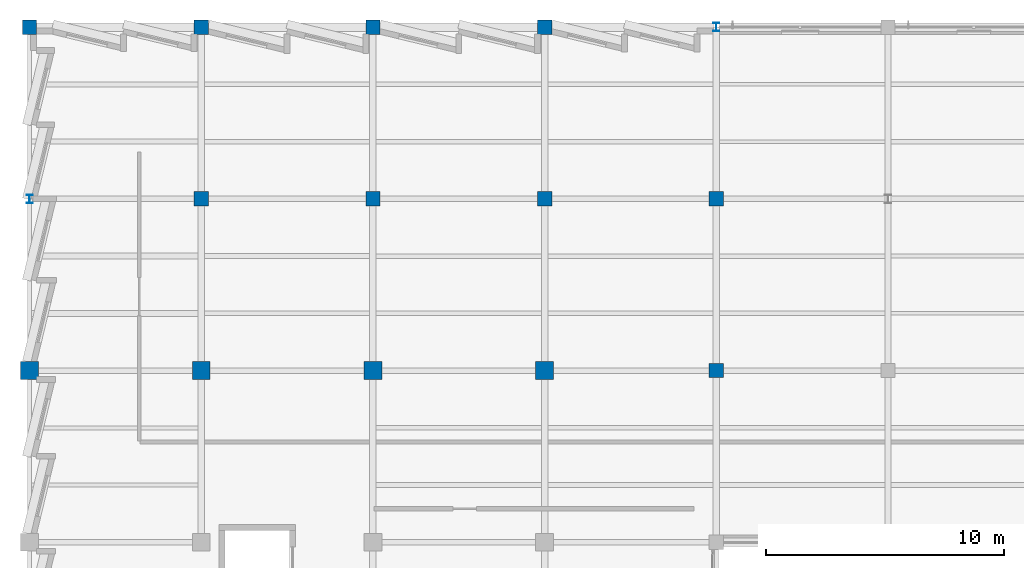
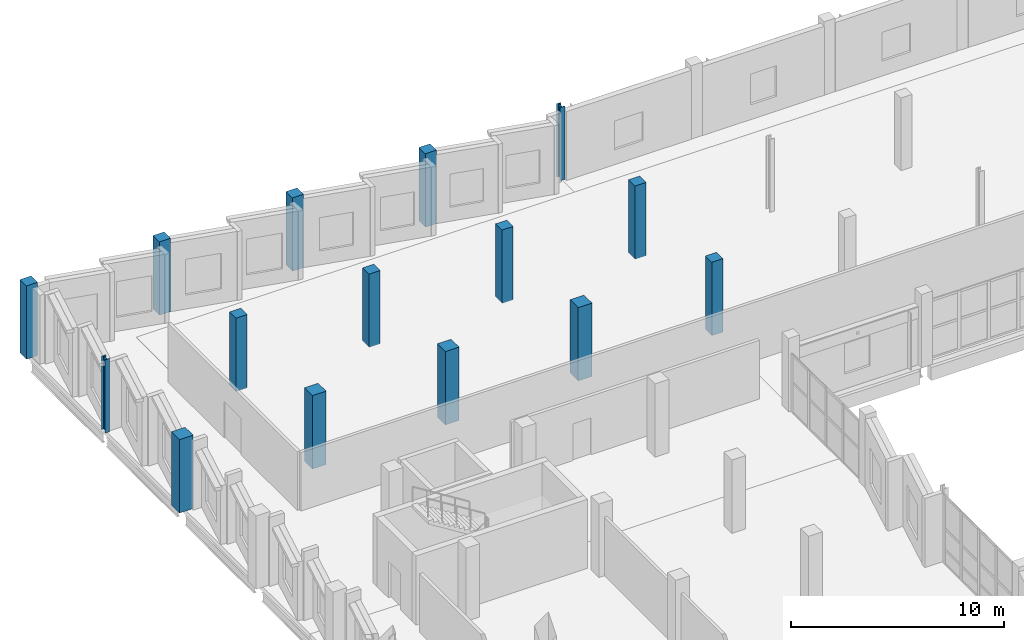
# One storey, part 10 of 94: 15 columns.
"""IFC4 building model written with IfcOpenShell, lengths in metres."""

from ifc_helpers import new_model, si_unit, direction, frame, origin, origin_2d, place, context, subcontext, project, spatial, rectangle, i_section, extrude, material, material_profile, profile_set, type_object, element, save


model = new_model("IFC4")

# Units and contexts
model_context = context("Model", 3, precision=1e-05, world=origin(), true_north=direction((0.0, 1.0)))
body_context = subcontext(model_context, "Body", "Model", "MODEL_VIEW")
ifc_project = project(units=[si_unit("LENGTHUNIT", "METRE"), si_unit("AREAUNIT", "SQUARE_METRE"), si_unit("VOLUMEUNIT", "CUBIC_METRE"), si_unit("PLANEANGLEUNIT", "RADIAN"), si_unit("MASSUNIT", "GRAM", prefix="KILO")], contexts=[model_context])

# Site, building, storey
site_placement = place(None, origin())
site = spatial("IfcSite", under=ifc_project, at=site_placement, CompositionType="ELEMENT")
building_placement = place(site_placement, origin())
building = spatial("IfcBuilding", under=site, at=building_placement, Name="Kalmorath City Hall", CompositionType="ELEMENT")
storey_placement = place(building_placement, frame((0.0, 0.0, 14.699951171875)))
storey = spatial("IfcBuildingStorey", under=building, at=storey_placement, Name="L03", CompositionType="ELEMENT", Elevation=14.699951171875)

# Columns
ifc_material_1 = material(Name="Concrete C50/60", Category="concrete")
ifc_material_profile_1 = material_profile(ifc_material_1, rectangle(XDim=0.60009765625, YDim=0.60009765625, at=origin_2d()), Name="RC-COL-600X600")
ifc_profile_set_1 = profile_set([ifc_material_profile_1], Name="Concrete C50/60")
column_type_1 = type_object("IfcColumnType", Name="Concrete column 600x600", PredefinedType="COLUMN", material=ifc_profile_set_1)
for number, where, z_axis, x_axis, name in (
    (1, (0.0, 115.199951171875, 0.0), (0.0, 0.0, 1.0), (1.0, 0.0, 0.0), "L03 column C6 (1/17)"),
    (2, (7.199951171875, 108.0, 0.0), (0.0, 0.0, 1.0), (1.0, 0.0, 0.0), "L03 column C6 (2/16)"),
    (3, (7.199951171875, 115.199951171875, 0.0), (0.0, 0.0, 1.0), (1.0, 0.0, 0.0), "L03 column C6 (2/17)"),
    (4, (14.39990234375, 108.0, 0.0), (0.0, 0.0, 1.0), (1.0, 0.0, 0.0), "L03 column C6 (3/16)"),
    (5, (14.39990234375, 115.199951171875, 0.0), (0.0, 0.0, 1.0), (1.0, 0.0, 0.0), "L03 column C6 (3/17)"),
    (6, (21.60009765625, 108.0, 0.0), (0.0, 0.0, 1.0), (1.0, 0.0, 0.0), "L03 column C6 (4/16)"),
    (7, (21.60009765625, 115.199951171875, 0.0), (0.0, 0.0, 1.0), (1.0, 0.0, 0.0), "L03 column C6 (4/17)"),
    (8, (28.800048828125, 100.800048828125, 0.0), (0.0, 0.0, 1.0), (1.0, 0.0, 0.0), "L03 column C6 (5/15)"),
    (9, (28.800048828125, 108.0, 0.0), (0.0, 0.0, 1.0), (1.0, 0.0, 0.0), "L03 column C6 (5/16)"),
):
    element("IfcColumn", number, at=place(storey_placement, frame(where, z_axis=z_axis, x_axis=x_axis)), inside=storey, type_object=column_type_1, Name=name, PredefinedType="COLUMN", context=body_context, shape_type="SweptSolid", body=[
        extrude(rectangle(XDim=0.60009765625, YDim=0.60009765625, at=origin_2d()), origin(), (0.0, 0.0, 1.0), 4.199951171875),
    ])
ifc_material_2 = material(Name="Concrete C50/60", Category="concrete")
ifc_material_profile_2 = material_profile(ifc_material_2, rectangle(XDim=0.75, YDim=0.75, at=origin_2d()), Name="RC-COL-750X750")
ifc_profile_set_2 = profile_set([ifc_material_profile_2], Name="Concrete C50/60")
column_type_2 = type_object("IfcColumnType", Name="Concrete column 750x750", PredefinedType="COLUMN", material=ifc_profile_set_2)
for number, where, z_axis, x_axis, name in (
    (10, (0.0, 100.800048828125, 0.0), (0.0, 0.0, 1.0), (1.0, 0.0, 0.0), "L03 column C3 (1/15)"),
    (11, (7.199951171875, 100.800048828125, 0.0), (0.0, 0.0, 1.0), (1.0, 0.0, 0.0), "L03 column C3 (2/15)"),
    (12, (14.39990234375, 100.800048828125, 0.0), (0.0, 0.0, 1.0), (1.0, 0.0, 0.0), "L03 column C3 (3/15)"),
    (13, (21.60009765625, 100.800048828125, 0.0), (0.0, 0.0, 1.0), (1.0, 0.0, 0.0), "L03 column C3 (4/15)"),
):
    element("IfcColumn", number, at=place(storey_placement, frame(where, z_axis=z_axis, x_axis=x_axis)), inside=storey, type_object=column_type_2, Name=name, PredefinedType="COLUMN", context=body_context, shape_type="SweptSolid", body=[
        extrude(rectangle(XDim=0.75, YDim=0.75, at=origin_2d()), origin(), (0.0, 0.0, 1.0), 4.199951171875),
    ])
ifc_material_3 = material(Name="Steel ASTM A992 Grade 50", Category="steel")
ifc_material_profile_3 = material_profile(ifc_material_3, i_section(OverallWidth=0.25390625, OverallDepth=0.35302734375, WebThickness=0.009521484375, FlangeThickness=0.016357421875, FilletRadius=0.014892578125, at=origin_2d()), Name="W14X61")
ifc_profile_set_3 = profile_set([ifc_material_profile_3], Name="Steel ASTM A992 Grade 50")
column_type_3 = type_object("IfcColumnType", Name="Steel wide-flange column W14X61", PredefinedType="COLUMN", material=ifc_profile_set_3)
for number, where, z_axis, x_axis, name in (
    (14, (0.0, 108.0, 0.0), (0.0, 0.0, 1.0), (1.0, 0.0, 0.0), "L03 column SC1 (1/16)"),
    (15, (28.800048828125, 115.199951171875, 0.0), (0.0, 0.0, 1.0), (1.0, 0.0, 0.0), "L03 column SC1 (5/17)"),
):
    element("IfcColumn", number, at=place(storey_placement, frame(where, z_axis=z_axis, x_axis=x_axis)), inside=storey, type_object=column_type_3, Name=name, PredefinedType="COLUMN", context=body_context, shape_type="SweptSolid", body=[
        extrude(i_section(OverallWidth=0.25390625, OverallDepth=0.35302734375, WebThickness=0.009521484375, FlangeThickness=0.016357421875, FilletRadius=0.014892578125, at=origin_2d()), origin(), (0.0, 0.0, 1.0), 4.199951171875),
    ])

save(model, "model.ifc")
